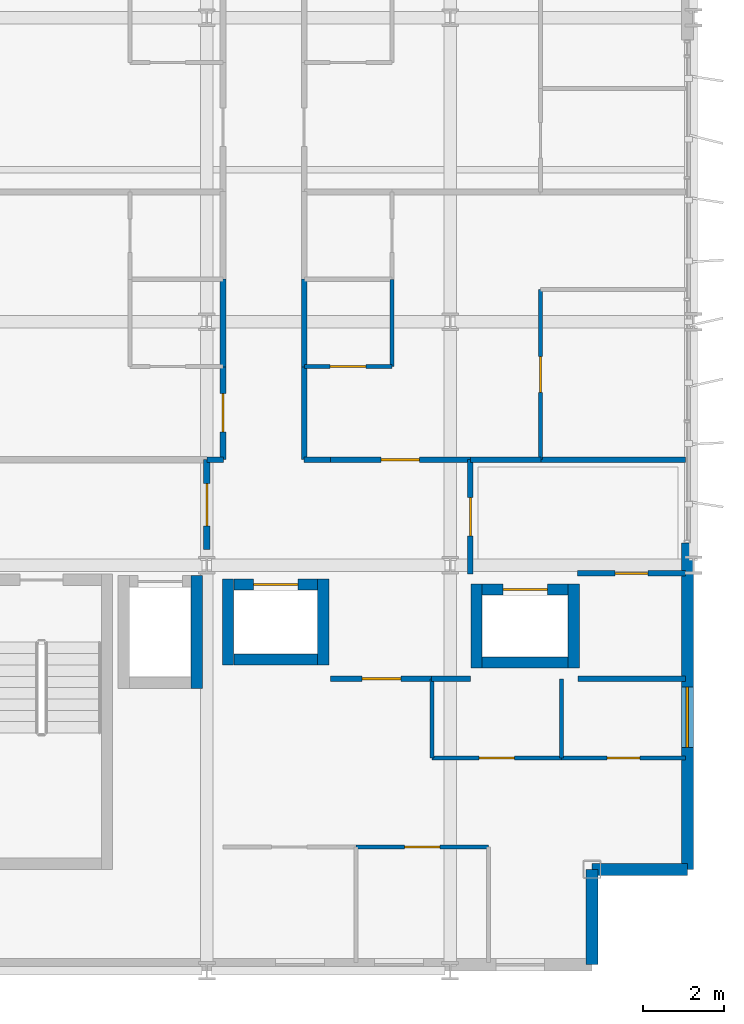
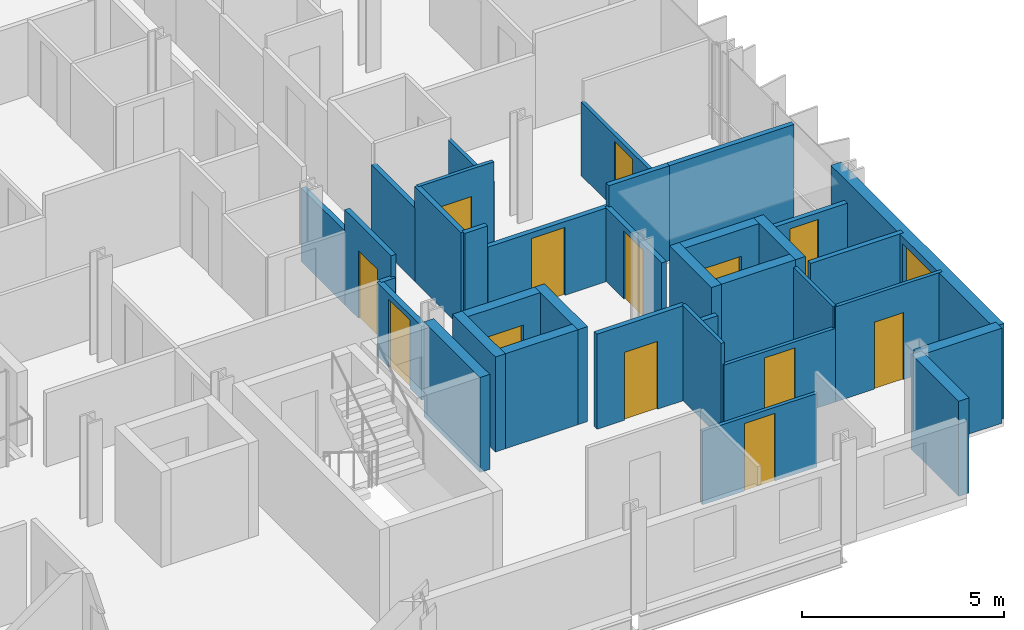
# One storey, part 31 of 39: 35 walls, 13 doors, 1 window, 14 openings.
"""IFC4 building model written with IfcOpenShell, lengths in metres."""

from ifc_helpers import new_model, si_unit, direction, frame, frame_2d, origin, place, context, subcontext, project, spatial, rectangle, extrude, material, layer, layer_set, type_object, element, fill, save


model = new_model("IFC4")

# Units and contexts
model_context = context("Model", 3, precision=1e-05, world=origin(), true_north=direction((0.0, 1.0)))
body_context = subcontext(model_context, "Body", "Model", "MODEL_VIEW")
ifc_project = project(units=[si_unit("LENGTHUNIT", "METRE"), si_unit("AREAUNIT", "SQUARE_METRE"), si_unit("VOLUMEUNIT", "CUBIC_METRE"), si_unit("PLANEANGLEUNIT", "RADIAN"), si_unit("MASSUNIT", "GRAM", prefix="KILO")], contexts=[model_context])

# Site, building, storey
site_placement = place(None, origin())
site = spatial("IfcSite", under=ifc_project, at=site_placement, CompositionType="ELEMENT")
building_placement = place(site_placement, origin())
building = spatial("IfcBuilding", under=site, at=building_placement, Name="Brevholm Reach", CompositionType="ELEMENT")
storey_placement = place(building_placement, frame((0.0, 0.0, 83.800048828125)))
storey = spatial("IfcBuildingStorey", under=building, at=storey_placement, Name="L24", CompositionType="ELEMENT", Elevation=83.800048828125)

# Walls
ifc_material_1 = material(Name="Concrete C50/60", Category="concrete")
ifc_layer_1 = layer(ifc_material_1, 0.280029296875)
ifc_layer_set_1 = layer_set([ifc_layer_1], Name="Concrete C50/60")
wall_type_1 = type_object("IfcWallType", Name="WAL-COR-280", PredefinedType="SHEAR", material=ifc_layer_set_1)
wall_1_placement = place(storey_placement, frame((47.75, 6.9599609375, 0.0), z_axis=(0.0, 0.0, 1.0), x_axis=(0.0, 1.0, 0.0)))
element("IfcWall", 1, at=wall_1_placement, inside=storey, type_object=wall_type_1, Name="L24 Lift FFL-2 Shaft Wall E", PredefinedType="SHEAR", context=body_context, shape_type="SweptSolid", body=[
    extrude(rectangle(XDim=2.780029296875, YDim=0.280029296875, at=frame_2d((1.39013671875, 0.0))), origin(), (0.0, 0.0, 1.0), 2.869873046875),
])
for number, where, z_axis, x_axis, name in (
    (2, (48.52490234375, 7.534912109375, 0.0), (0.0, 0.0, 1.0), (0.0, 1.0, 0.0), "L24 Lift PL-L1 Shaft Wall W"),
    (3, (50.875, 7.534912109375, 0.0), (0.0, 0.0, 1.0), (0.0, 1.0, 0.0), "L24 Lift PL-L1 Shaft Wall E"),
):
    element("IfcWall", number, at=place(storey_placement, frame(where, z_axis=z_axis, x_axis=x_axis)), inside=storey, type_object=wall_type_1, Name=name, PredefinedType="SHEAR", context=body_context, shape_type="SweptSolid", body=[
        extrude(rectangle(XDim=2.130126953125, YDim=0.280029296875, at=frame_2d((1.06494140625, 0.0))), origin(), (0.0, 0.0, 1.0), 2.869873046875),
    ])
wall_2_placement = place(storey_placement, frame((48.6650390625, 7.675048828125, 0.0), z_axis=(0.0, 0.0, 1.0), x_axis=(1.0, 0.0, 0.0)))
element("IfcWall", 4, at=wall_2_placement, inside=storey, type_object=wall_type_1, Name="L24 Lift PL-L1 Shaft Wall S", PredefinedType="SHEAR", context=body_context, shape_type="SweptSolid", body=[
    extrude(rectangle(XDim=2.070068359375, YDim=0.280029296875, at=frame_2d((1.03515625, 0.0))), origin(), (0.0, 0.0, 1.0), 2.869873046875),
])

# Wall, opening, door
wall_3_placement = place(storey_placement, frame((48.6650390625, 9.52490234375, 0.0), z_axis=(0.0, 0.0, 1.0), x_axis=(1.0, 0.0, 0.0)))
wall_3 = element("IfcWall", 5, at=wall_3_placement, inside=storey, type_object=wall_type_1, Name="L24 Lift PL-L1 Shaft Wall N", PredefinedType="SHEAR", context=body_context, shape_type="SweptSolid", body=[
    extrude(rectangle(XDim=2.070068359375, YDim=0.280029296875, at=frame_2d((1.03515625, 0.0))), origin(), (0.0, 0.0, 1.0), 2.869873046875),
])
opening_1_placement = place(wall_3_placement, frame((0.485107421875, 0.0, 0.0)))
opening_1 = element("IfcOpeningElement", 6, at=opening_1_placement, cuts=wall_3, Name="Opening LD-PL-L1", PredefinedType="OPENING", context=body_context, shape_type="SweptSolid", body=[
    extrude(rectangle(XDim=1.10009765625, YDim=2.06005859375, at=frame_2d((0.550048828125, 1.030029296875))), frame((0.0, 0.14990234375, 0.0), z_axis=(0.0, -1.0, 0.0), x_axis=(1.0, 0.0, 0.0)), (0.0, 0.0, 1.0), 0.300048828125),
])
ifc_material_2 = material(Name="Brushed Stainless Steel Fire-Rated Sliding Lift Door", Category="steel")
door_type_1 = type_object("IfcDoorType", Name="DOR-LFT-1100", OperationType="NOTDEFINED", PredefinedType="DOOR", material=ifc_material_2)
door_1_placement = place(opening_1_placement, origin())
door_1 = element("IfcDoor", 7, at=door_1_placement, inside=storey, type_object=door_type_1, Name="L24 Lift PL-L1 Sliding Landing Door", OperationType="SLIDING_TO_RIGHT", OverallHeight=2.06005859375, OverallWidth=1.10009765625, PredefinedType="DOOR", context=body_context, shape_type="SweptSolid", body=[
    extrude(rectangle(XDim=1.10009765625, YDim=2.06005859375, at=frame_2d((0.550048828125, 1.030029296875))), frame((0.0, 0.02490234375, 0.0), z_axis=(0.0, -1.0, 0.0), x_axis=(1.0, 0.0, 0.0)), (0.0, 0.0, 1.0), 0.050048828125),
])
fill(opening_1, door_1)

# Walls
for number, where, z_axis, x_axis, name in (
    (8, (54.64990234375, 7.4599609375, 0.0), (0.0, 0.0, 1.0), (0.0, 1.0, 0.0), "L24 Lift PL-L2 Shaft Wall W"),
    (9, (57.050048828125, 7.4599609375, 0.0), (0.0, 0.0, 1.0), (0.0, 1.0, 0.0), "L24 Lift PL-L2 Shaft Wall E"),
):
    element("IfcWall", number, at=place(storey_placement, frame(where, z_axis=z_axis, x_axis=x_axis)), inside=storey, type_object=wall_type_1, Name=name, PredefinedType="SHEAR", context=body_context, shape_type="SweptSolid", body=[
        extrude(rectangle(XDim=2.080078125, YDim=0.280029296875, at=frame_2d((1.0400390625, 0.0))), origin(), (0.0, 0.0, 1.0), 2.869873046875),
    ])
wall_4_placement = place(storey_placement, frame((54.7900390625, 7.60009765625, 0.0), z_axis=(0.0, 0.0, 1.0), x_axis=(1.0, 0.0, 0.0)))
element("IfcWall", 10, at=wall_4_placement, inside=storey, type_object=wall_type_1, Name="L24 Lift PL-L2 Shaft Wall S", PredefinedType="SHEAR", context=body_context, shape_type="SweptSolid", body=[
    extrude(rectangle(XDim=2.119873046875, YDim=0.280029296875, at=frame_2d((1.06005859375, 0.0))), origin(), (0.0, 0.0, 1.0), 2.869873046875),
])

# Wall, opening, door
wall_5_placement = place(storey_placement, frame((54.7900390625, 9.39990234375, 0.0), z_axis=(0.0, 0.0, 1.0), x_axis=(1.0, 0.0, 0.0)))
wall_5 = element("IfcWall", 11, at=wall_5_placement, inside=storey, type_object=wall_type_1, Name="L24 Lift PL-L2 Shaft Wall N", PredefinedType="SHEAR", context=body_context, shape_type="SweptSolid", body=[
    extrude(rectangle(XDim=2.119873046875, YDim=0.280029296875, at=frame_2d((1.06005859375, 0.0))), origin(), (0.0, 0.0, 1.0), 2.869873046875),
])
opening_2_placement = place(wall_5_placement, frame((0.510009765625, 0.0, 0.0)))
opening_2 = element("IfcOpeningElement", 12, at=opening_2_placement, cuts=wall_5, Name="Opening LD-PL-L2", PredefinedType="OPENING", context=body_context, shape_type="SweptSolid", body=[
    extrude(rectangle(XDim=1.10009765625, YDim=2.06005859375, at=frame_2d((0.550048828125, 1.030029296875))), frame((0.0, 0.14990234375, 0.0), z_axis=(0.0, -1.0, 0.0), x_axis=(1.0, 0.0, 0.0)), (0.0, 0.0, 1.0), 0.300048828125),
])
door_2_placement = place(opening_2_placement, origin())
door_2 = element("IfcDoor", 13, at=door_2_placement, inside=storey, type_object=door_type_1, Name="L24 Lift PL-L2 Sliding Landing Door", OperationType="SLIDING_TO_LEFT", OverallHeight=2.06005859375, OverallWidth=1.10009765625, PredefinedType="DOOR", context=body_context, shape_type="SweptSolid", body=[
    extrude(rectangle(XDim=1.10009765625, YDim=2.06005859375, at=frame_2d((0.550048828125, 1.030029296875))), frame((0.0, 0.02490234375, 0.0), z_axis=(0.0, -1.0, 0.0), x_axis=(1.0, 0.0, 0.0)), (0.0, 0.0, 1.0), 0.050048828125),
])
fill(opening_2, door_2)

# Walls
ifc_material_3 = material(Name="Concrete C40/50", Category="concrete")
ifc_layer_2 = layer(ifc_material_3, 0.300048828125)
ifc_layer_set_2 = layer_set([ifc_layer_2], Name="Concrete C40/50")
wall_type_2 = type_object("IfcWallType", Name="WAL-EXT-300", PredefinedType="STANDARD", material=ifc_layer_set_2)
for number, where, z_axis, x_axis, name in (
    (14, (57.5, 0.14990234375, 0.0), (0.0, 0.0, 1.0), (0.0, 1.0, 0.0), "L24 Facade Wall WAL-L24-CSE1"),
    (15, (57.5, 2.5, 0.0), (0.0, 0.0, 1.0), (1.0, 0.0, 0.0), "L24 Facade Wall WAL-L24-CSE2"),
):
    element("IfcWall", number, at=place(storey_placement, frame(where, z_axis=z_axis, x_axis=x_axis)), inside=storey, type_object=wall_type_2, Name=name, PredefinedType="STANDARD", context=body_context, shape_type="SweptSolid", body=[
        extrude(rectangle(XDim=2.35009765625, YDim=0.300048828125, at=frame_2d((1.175048828125, 0.0))), origin(), (0.0, 0.0, 1.0), 2.869873046875),
    ])

# Wall, opening, window
wall_6_placement = place(storey_placement, frame((59.85009765625, 2.5, 0.0), z_axis=(0.0, 0.0, 1.0), x_axis=(0.0, 1.0, 0.0)))
wall_6 = element("IfcWall", 16, at=wall_6_placement, inside=storey, type_object=wall_type_2, Name="L24 Facade Wall WAL-L24-E-S", PredefinedType="STANDARD", context=body_context, shape_type="SweptSolid", body=[
    extrude(rectangle(XDim=8.050048828125, YDim=0.300048828125, at=frame_2d((4.02490234375, 0.0))), origin(), (0.0, 0.0, 1.0), 2.869873046875),
])
opening_3_placement = place(wall_6_placement, frame((3.0, 0.0, 0.85009765625)))
opening_3 = element("IfcOpeningElement", 17, at=opening_3_placement, cuts=wall_6, Name="Opening WN-05", PredefinedType="OPENING", context=body_context, shape_type="SweptSolid", body=[
    extrude(rectangle(XDim=1.5, YDim=1.800048828125, at=frame_2d((0.75, 0.89990234375))), frame((0.0, 0.159912109375, 0.0), z_axis=(0.0, -1.0, 0.0), x_axis=(1.0, 0.0, 0.0)), (0.0, 0.0, 1.0), 0.320068359375),
])
ifc_material_4 = material(Name="Dark Anodised Aluminium and Solar-Control IGU Glass", Category="aluminium")
window_type = type_object("IfcWindowType", Name="WIN-RES-1500", PartitioningType="SINGLE_PANEL", PredefinedType="WINDOW", material=ifc_material_4)
window_placement = place(opening_3_placement, origin())
window = element("IfcWindow", 18, at=window_placement, inside=storey, type_object=window_type, Name="L24 Window WIN-L24-ES-1", OverallHeight=1.800048828125, OverallWidth=1.5, PartitioningType="SINGLE_PANEL", PredefinedType="WINDOW", context=body_context, shape_type="SweptSolid", body=[
    extrude(rectangle(XDim=1.5, YDim=1.800048828125, at=frame_2d((0.75, 0.89990234375))), frame((0.0, 0.030029296875, 0.0), z_axis=(0.0, -1.0, 0.0), x_axis=(1.0, 0.0, 0.0)), (0.0, 0.0, 1.0), 0.06005859375),
])
fill(opening_3, window)

# Wall
ifc_material_5 = material(Name="Moisture-Resistant Acoustic Gypsum Stud Partition 100 mm", Category="gypsum")
ifc_layer_3 = layer(ifc_material_5, 0.10009765625)
ifc_layer_set_3 = layer_set([ifc_layer_3], Name="Moisture-Resistant Acoustic Gypsum Stud Partition 100 mm")
wall_type_3 = type_object("IfcWallType", Name="WAL-PRT-100", PredefinedType="PARTITIONING", material=ifc_layer_set_3)
wall_7_placement = place(storey_placement, frame((56.75, 5.25, 0.0), z_axis=(0.0, 0.0, 1.0), x_axis=(0.0, 1.0, 0.0)))
element("IfcWall", 19, at=wall_7_placement, inside=storey, type_object=wall_type_3, Name="L24 Internal Partition 078", PredefinedType="PARTITIONING", context=body_context, shape_type="SweptSolid", body=[
    extrude(rectangle(XDim=1.949951171875, YDim=0.10009765625, at=frame_2d((0.97509765625, 0.0))), origin(), (0.0, 0.0, 1.0), 2.869873046875),
])

# Wall, opening, door
wall_8_placement = place(storey_placement, frame((56.75, 5.25, 0.0), z_axis=(0.0, 0.0, 1.0), x_axis=(1.0, 0.0, 0.0)))
wall_8 = element("IfcWall", 20, at=wall_8_placement, inside=storey, type_object=wall_type_3, Name="L24 Internal Partition 079", PredefinedType="PARTITIONING", context=body_context, shape_type="SweptSolid", body=[
    extrude(rectangle(XDim=3.050048828125, YDim=0.10009765625, at=frame_2d((1.52490234375, 0.0))), origin(), (0.0, 0.0, 1.0), 2.869873046875),
])
opening_4_placement = place(wall_8_placement, frame((1.114990234375, 0.0, 0.0)))
opening_4 = element("IfcOpeningElement", 21, at=opening_4_placement, cuts=wall_8, Name="Opening ID-03", PredefinedType="OPENING", context=body_context, shape_type="SweptSolid", body=[
    extrude(rectangle(XDim=0.820068359375, YDim=2.02001953125, at=frame_2d((0.41015625, 1.010009765625))), frame((0.0, 0.06005859375, 0.0), z_axis=(0.0, -1.0, 0.0), x_axis=(1.0, 0.0, 0.0)), (0.0, 0.0, 1.0), 0.1201171875),
])
ifc_material_6 = material(Name="Moisture-Resistant Painted Timber Internal Bathroom Door", Category="wood")
door_type_2 = type_object("IfcDoorType", Name="DOR-BATH-820", OperationType="NOTDEFINED", PredefinedType="DOOR", material=ifc_material_6)
door_3_placement = place(opening_4_placement, origin())
door_3 = element("IfcDoor", 22, at=door_3_placement, inside=storey, type_object=door_type_2, Name="L24 Internal Door 030", OperationType="SINGLE_SWING_LEFT", OverallHeight=2.02001953125, OverallWidth=0.820068359375, PredefinedType="DOOR", context=body_context, shape_type="SweptSolid", body=[
    extrude(rectangle(XDim=0.820068359375, YDim=2.02001953125, at=frame_2d((0.41015625, 1.010009765625))), frame((0.0, 0.02490234375, 0.0), z_axis=(0.0, -1.0, 0.0), x_axis=(1.0, 0.0, 0.0)), (0.0, 0.0, 1.0), 0.050048828125),
])
fill(opening_4, door_3)

wall_9_placement = place(storey_placement, frame((53.55810546875, 5.25, 0.0), z_axis=(0.0, 0.0, 1.0), x_axis=(1.0, 0.0, 0.0)))
wall_9 = element("IfcWall", 23, at=wall_9_placement, inside=storey, type_object=wall_type_3, Name="L24 Internal Partition 080", PredefinedType="PARTITIONING", context=body_context, shape_type="SweptSolid", body=[
    extrude(rectangle(XDim=3.18798828125, YDim=0.10009765625, at=frame_2d((1.593994140625, 0.0))), origin(), (0.0, 0.0, 1.0), 2.224853515625),
])
opening_5_placement = place(wall_9_placement, frame((1.154052734375, 0.0, 0.0)))
opening_5 = element("IfcOpeningElement", 24, at=opening_5_placement, cuts=wall_9, Name="Opening ID-01", PredefinedType="OPENING", context=body_context, shape_type="SweptSolid", body=[
    extrude(rectangle(XDim=0.8798828125, YDim=2.0400390625, at=frame_2d((0.43994140625, 1.02001953125))), frame((0.0, 0.06005859375, 0.0), z_axis=(0.0, -1.0, 0.0), x_axis=(1.0, 0.0, 0.0)), (0.0, 0.0, 1.0), 0.1201171875),
])
ifc_material_7 = material(Name="Lacquered Ash Solid-Core Acoustic Internal Door", Category="timber")
door_type_3 = type_object("IfcDoorType", Name="DOR-INT-880", OperationType="NOTDEFINED", PredefinedType="DOOR", material=ifc_material_7)
door_4_placement = place(opening_5_placement, origin())
door_4 = element("IfcDoor", 25, at=door_4_placement, inside=storey, type_object=door_type_3, Name="L24 Internal Door 031", OperationType="SINGLE_SWING_RIGHT", OverallHeight=2.0400390625, OverallWidth=0.8798828125, PredefinedType="DOOR", context=body_context, shape_type="SweptSolid", body=[
    extrude(rectangle(XDim=0.8798828125, YDim=2.0400390625, at=frame_2d((0.43994140625, 1.02001953125))), frame((0.0, 0.02490234375, 0.0), z_axis=(0.0, -1.0, 0.0), x_axis=(1.0, 0.0, 0.0)), (0.0, 0.0, 1.0), 0.050048828125),
])
fill(opening_5, door_4)

# Wall
wall_10_placement = place(storey_placement, frame((53.55810546875, 5.25, 0.0), z_axis=(0.0, 0.0, 1.0), x_axis=(0.0, 1.0, 0.0)))
element("IfcWall", 26, at=wall_10_placement, inside=storey, type_object=wall_type_3, Name="L24 Internal Partition 081", PredefinedType="PARTITIONING", context=body_context, shape_type="SweptSolid", body=[
    extrude(rectangle(XDim=1.946044921875, YDim=0.10009765625, at=frame_2d((0.97314453125, 0.0))), origin(), (0.0, 0.0, 1.0), 2.869873046875),
])

# Wall, opening, door
wall_11_placement = place(storey_placement, frame((51.678955078125, 3.050048828125, 0.0), z_axis=(0.0, 0.0, 1.0), x_axis=(1.0, 0.0, 0.0)))
wall_11 = element("IfcWall", 27, at=wall_11_placement, inside=storey, type_object=wall_type_3, Name="L24 Internal Partition 085", PredefinedType="PARTITIONING", context=body_context, shape_type="SweptSolid", body=[
    extrude(rectangle(XDim=3.27099609375, YDim=0.10009765625, at=frame_2d((1.635498046875, 0.0))), origin(), (0.0, 0.0, 1.0), 2.224853515625),
])
opening_6_placement = place(wall_11_placement, frame((1.195556640625, 0.0, 0.0)))
opening_6 = element("IfcOpeningElement", 28, at=opening_6_placement, cuts=wall_11, Name="Opening ID-01", PredefinedType="OPENING", context=body_context, shape_type="SweptSolid", body=[
    extrude(rectangle(XDim=0.8798828125, YDim=2.0400390625, at=frame_2d((0.43994140625, 1.02001953125))), frame((0.0, 0.06005859375, 0.0), z_axis=(0.0, -1.0, 0.0), x_axis=(1.0, 0.0, 0.0)), (0.0, 0.0, 1.0), 0.1201171875),
])
door_5_placement = place(opening_6_placement, origin())
door_5 = element("IfcDoor", 29, at=door_5_placement, inside=storey, type_object=door_type_3, Name="L24 Internal Door 033", OperationType="SINGLE_SWING_RIGHT", OverallHeight=2.0400390625, OverallWidth=0.8798828125, PredefinedType="DOOR", context=body_context, shape_type="SweptSolid", body=[
    extrude(rectangle(XDim=0.8798828125, YDim=2.0400390625, at=frame_2d((0.43994140625, 1.02001953125))), frame((0.0, 0.02490234375, 0.0), z_axis=(0.0, -1.0, 0.0), x_axis=(1.0, 0.0, 0.0)), (0.0, 0.0, 1.0), 0.050048828125),
])
fill(opening_6, door_5)

wall_12_placement = place(storey_placement, frame((50.404052734375, 14.89990234375, 0.0), z_axis=(0.0, 0.0, 1.0), x_axis=(1.0, 0.0, 0.0)))
wall_12 = element("IfcWall", 30, at=wall_12_placement, inside=storey, type_object=wall_type_3, Name="L24 Internal Partition 145", PredefinedType="PARTITIONING", context=body_context, shape_type="SweptSolid", body=[
    extrude(rectangle(XDim=2.157958984375, YDim=0.10009765625, at=frame_2d((1.0791015625, 0.0))), origin(), (0.0, 0.0, 1.0), 2.869873046875),
])
opening_7_placement = place(wall_12_placement, frame((0.638916015625, 0.0, 0.0)))
opening_7 = element("IfcOpeningElement", 31, at=opening_7_placement, cuts=wall_12, Name="Opening ID-01", PredefinedType="OPENING", context=body_context, shape_type="SweptSolid", body=[
    extrude(rectangle(XDim=0.8798828125, YDim=2.0400390625, at=frame_2d((0.43994140625, 1.02001953125))), frame((0.0, 0.06005859375, 0.0), z_axis=(0.0, -1.0, 0.0), x_axis=(1.0, 0.0, 0.0)), (0.0, 0.0, 1.0), 0.1201171875),
])
door_6_placement = place(opening_7_placement, origin())
door_6 = element("IfcDoor", 32, at=door_6_placement, inside=storey, type_object=door_type_3, Name="L24 Internal Door 056", OperationType="SINGLE_SWING_LEFT", OverallHeight=2.0400390625, OverallWidth=0.8798828125, PredefinedType="DOOR", context=body_context, shape_type="SweptSolid", body=[
    extrude(rectangle(XDim=0.8798828125, YDim=2.0400390625, at=frame_2d((0.43994140625, 1.02001953125))), frame((0.0, 0.02490234375, 0.0), z_axis=(0.0, -1.0, 0.0), x_axis=(1.0, 0.0, 0.0)), (0.0, 0.0, 1.0), 0.050048828125),
])
fill(opening_7, door_6)

# Wall
wall_13_placement = place(storey_placement, frame((52.56201171875, 14.89990234375, 0.0), z_axis=(0.0, 0.0, 1.0), x_axis=(0.0, 1.0, 0.0)))
element("IfcWall", 33, at=wall_13_placement, inside=storey, type_object=wall_type_3, Name="L24 Internal Partition 146", PredefinedType="PARTITIONING", context=body_context, shape_type="SweptSolid", body=[
    extrude(rectangle(XDim=2.14599609375, YDim=0.10009765625, at=frame_2d((1.072998046875, 0.0))), origin(), (0.0, 0.0, 1.0), 2.224853515625),
])

# Wall, opening, door
wall_14_placement = place(storey_placement, frame((56.22802734375, 12.60400390625, 0.0), z_axis=(0.0, 0.0, 1.0), x_axis=(0.0, 1.0, 0.0)))
wall_14 = element("IfcWall", 34, at=wall_14_placement, inside=storey, type_object=wall_type_3, Name="L24 Internal Partition 148", PredefinedType="PARTITIONING", context=body_context, shape_type="SweptSolid", body=[
    extrude(rectangle(XDim=4.196044921875, YDim=0.10009765625, at=frame_2d((2.09814453125, 0.0))), origin(), (0.0, 0.0, 1.0), 2.224853515625),
])
opening_8_placement = place(wall_14_placement, frame((1.657958984375, 0.0, 0.0)))
opening_8 = element("IfcOpeningElement", 35, at=opening_8_placement, cuts=wall_14, Name="Opening ID-01", PredefinedType="OPENING", context=body_context, shape_type="SweptSolid", body=[
    extrude(rectangle(XDim=0.8798828125, YDim=2.0400390625, at=frame_2d((0.43994140625, 1.02001953125))), frame((0.0, 0.06005859375, 0.0), z_axis=(0.0, -1.0, 0.0), x_axis=(1.0, 0.0, 0.0)), (0.0, 0.0, 1.0), 0.1201171875),
])
door_7_placement = place(opening_8_placement, origin())
door_7 = element("IfcDoor", 36, at=door_7_placement, inside=storey, type_object=door_type_3, Name="L24 Internal Door 057", OperationType="SINGLE_SWING_RIGHT", OverallHeight=2.0400390625, OverallWidth=0.8798828125, PredefinedType="DOOR", context=body_context, shape_type="SweptSolid", body=[
    extrude(rectangle(XDim=0.8798828125, YDim=2.0400390625, at=frame_2d((0.43994140625, 1.02001953125))), frame((0.0, 0.02490234375, 0.0), z_axis=(0.0, -1.0, 0.0), x_axis=(1.0, 0.0, 0.0)), (0.0, 0.0, 1.0), 0.050048828125),
])
fill(opening_8, door_7)

ifc_material_8 = material(Name="Twin-Stud Acoustic Fire-Rated Gypsum Partition 140 mm", Category="gypsum")
ifc_layer_4 = layer(ifc_material_8, 0.139892578125)
ifc_layer_set_4 = layer_set([ifc_layer_4], Name="Twin-Stud Acoustic Fire-Rated Gypsum Partition 140 mm")
wall_type_4 = type_object("IfcWallType", Name="WAL-PRT-140", PredefinedType="PARTITIONING", material=ifc_layer_set_4)
wall_15_placement = place(storey_placement, frame((54.5, 9.788818359375, 0.0), z_axis=(0.0, 0.0, 1.0), x_axis=(0.0, 1.0, 0.0)))
wall_15 = element("IfcWall", 37, at=wall_15_placement, inside=storey, type_object=wall_type_4, Name="L24 Internal Partition 008", PredefinedType="PARTITIONING", context=body_context, shape_type="SweptSolid", body=[
    extrude(rectangle(XDim=2.811279296875, YDim=0.139892578125, at=frame_2d((1.40576171875, 0.0))), origin(), (0.0, 0.0, 1.0), 2.224853515625),
])
opening_9_placement = place(wall_15_placement, frame((0.9306640625, 0.0, 0.0)))
opening_9 = element("IfcOpeningElement", 38, at=opening_9_placement, cuts=wall_15, Name="Opening ID-30", PredefinedType="OPENING", context=body_context, shape_type="SweptSolid", body=[
    extrude(rectangle(XDim=0.949951171875, YDim=2.050048828125, at=frame_2d((0.47509765625, 1.02490234375))), frame((0.0, 0.079833984375, 0.0), z_axis=(0.0, -1.0, 0.0), x_axis=(1.0, 0.0, 0.0)), (0.0, 0.0, 1.0), 0.159912109375),
])
ifc_material_9 = material(Name="European Oak Veneered Solid-Core Fire Entrance Door", Category="timber")
door_type_4 = type_object("IfcDoorType", Name="DOR-FLT-FD30S", OperationType="NOTDEFINED", PredefinedType="DOOR", material=ifc_material_9)
door_8_placement = place(opening_9_placement, origin())
door_8 = element("IfcDoor", 39, at=door_8_placement, inside=storey, type_object=door_type_4, Name="L24 Internal Door 006", OperationType="SINGLE_SWING_LEFT", OverallHeight=2.050048828125, OverallWidth=0.949951171875, PredefinedType="DOOR", context=body_context, shape_type="SweptSolid", body=[
    extrude(rectangle(XDim=0.949951171875, YDim=2.050048828125, at=frame_2d((0.47509765625, 1.02490234375))), frame((0.0, 0.02490234375, 0.0), z_axis=(0.0, -1.0, 0.0), x_axis=(1.0, 0.0, 0.0)), (0.0, 0.0, 1.0), 0.050048828125),
])
fill(opening_9, door_8)

# Wall
wall_16_placement = place(storey_placement, frame((53.546630859375, 7.199951171875, 0.0), z_axis=(0.0, 0.0, 1.0), x_axis=(1.0, 0.0, 0.0)))
element("IfcWall", 40, at=wall_16_placement, inside=storey, type_object=wall_type_4, Name="L24 Internal Partition 009", PredefinedType="PARTITIONING", context=body_context, shape_type="SweptSolid", body=[
    extrude(rectangle(XDim=0.953369140625, YDim=0.139892578125, at=frame_2d((0.4765625, 0.0))), origin(), (0.0, 0.0, 1.0), 2.224853515625),
])

# Wall, opening, door
wall_17_placement = place(storey_placement, frame((51.050048828125, 7.199951171875, 0.0), z_axis=(0.0, 0.0, 1.0), x_axis=(1.0, 0.0, 0.0)))
wall_17 = element("IfcWall", 41, at=wall_17_placement, inside=storey, type_object=wall_type_4, Name="L24 Internal Partition 010", PredefinedType="PARTITIONING", context=body_context, shape_type="SweptSolid", body=[
    extrude(rectangle(XDim=2.51513671875, YDim=0.139892578125, at=frame_2d((1.257568359375, 0.0))), origin(), (0.0, 0.0, 1.0), 2.869873046875),
])
opening_10_placement = place(wall_17_placement, frame((0.78271484375, 0.0, 0.0)))
opening_10 = element("IfcOpeningElement", 42, at=opening_10_placement, cuts=wall_17, Name="Opening ID-30", PredefinedType="OPENING", context=body_context, shape_type="SweptSolid", body=[
    extrude(rectangle(XDim=0.949951171875, YDim=2.050048828125, at=frame_2d((0.47509765625, 1.02490234375))), frame((0.0, 0.079833984375, 0.0), z_axis=(0.0, -1.0, 0.0), x_axis=(1.0, 0.0, 0.0)), (0.0, 0.0, 1.0), 0.159912109375),
])
door_9_placement = place(opening_10_placement, origin())
door_9 = element("IfcDoor", 43, at=door_9_placement, inside=storey, type_object=door_type_4, Name="L24 Internal Door 007", OperationType="SINGLE_SWING_RIGHT", OverallHeight=2.050048828125, OverallWidth=0.949951171875, PredefinedType="DOOR", context=body_context, shape_type="SweptSolid", body=[
    extrude(rectangle(XDim=0.949951171875, YDim=2.050048828125, at=frame_2d((0.47509765625, 1.02490234375))), frame((0.0, 0.02490234375, 0.0), z_axis=(0.0, -1.0, 0.0), x_axis=(1.0, 0.0, 0.0)), (0.0, 0.0, 1.0), 0.050048828125),
])
fill(opening_10, door_9)

wall_18_placement = place(storey_placement, frame((51.050048828125, 12.60009765625, 0.0), z_axis=(0.0, 0.0, 1.0), x_axis=(1.0, 0.0, 0.0)))
wall_18 = element("IfcWall", 44, at=wall_18_placement, inside=storey, type_object=wall_type_4, Name="L24 Internal Partition 011", PredefinedType="PARTITIONING", context=body_context, shape_type="SweptSolid", body=[
    extrude(rectangle(XDim=3.449951171875, YDim=0.139892578125, at=frame_2d((1.72509765625, 0.0))), origin(), (0.0, 0.0, 1.0), 2.224853515625),
])
opening_11_placement = place(wall_18_placement, frame((1.25, 0.0, 0.0)))
opening_11 = element("IfcOpeningElement", 45, at=opening_11_placement, cuts=wall_18, Name="Opening ID-30", PredefinedType="OPENING", context=body_context, shape_type="SweptSolid", body=[
    extrude(rectangle(XDim=0.949951171875, YDim=2.050048828125, at=frame_2d((0.47509765625, 1.02490234375))), frame((0.0, 0.079833984375, 0.0), z_axis=(0.0, -1.0, 0.0), x_axis=(1.0, 0.0, 0.0)), (0.0, 0.0, 1.0), 0.159912109375),
])
door_10_placement = place(opening_11_placement, origin())
door_10 = element("IfcDoor", 46, at=door_10_placement, inside=storey, type_object=door_type_4, Name="L24 Internal Door 008", OperationType="SINGLE_SWING_LEFT", OverallHeight=2.050048828125, OverallWidth=0.949951171875, PredefinedType="DOOR", context=body_context, shape_type="SweptSolid", body=[
    extrude(rectangle(XDim=0.949951171875, YDim=2.050048828125, at=frame_2d((0.47509765625, 1.02490234375))), frame((0.0, 0.02490234375, 0.0), z_axis=(0.0, -1.0, 0.0), x_axis=(1.0, 0.0, 0.0)), (0.0, 0.0, 1.0), 0.050048828125),
])
fill(opening_11, door_10)

# Walls
wall_19_placement = place(storey_placement, frame((48.00390625, 12.60009765625, 0.0), z_axis=(0.0, 0.0, 1.0), x_axis=(1.0, 0.0, 0.0)))
element("IfcWall", 47, at=wall_19_placement, inside=storey, type_object=wall_type_4, Name="L24 Internal Partition 026", PredefinedType="PARTITIONING", context=body_context, shape_type="SweptSolid", body=[
    extrude(rectangle(XDim=0.4033203125, YDim=0.139892578125, at=frame_2d((0.20166015625, 0.0))), origin(), (0.0, 0.0, 1.0), 2.224853515625),
])
wall_20_placement = place(storey_placement, frame((50.392578125, 12.60009765625, 0.0), z_axis=(0.0, 0.0, 1.0), x_axis=(1.0, 0.0, 0.0)))
element("IfcWall", 48, at=wall_20_placement, inside=storey, type_object=wall_type_4, Name="L24 Internal Partition 027", PredefinedType="PARTITIONING", context=body_context, shape_type="SweptSolid", body=[
    extrude(rectangle(XDim=0.6533203125, YDim=0.139892578125, at=frame_2d((0.32666015625, 0.0))), origin(), (0.0, 0.0, 1.0), 2.869873046875),
])
wall_21_placement = place(storey_placement, frame((48.39990234375, 14.888671875, 0.0), z_axis=(0.0, 0.0, 1.0), x_axis=(0.0, 1.0, 0.0)))
element("IfcWall", 49, at=wall_21_placement, inside=storey, type_object=wall_type_4, Name="L24 Internal Partition 042", PredefinedType="PARTITIONING", context=body_context, shape_type="SweptSolid", body=[
    extrude(rectangle(XDim=2.168701171875, YDim=0.139892578125, at=frame_2d((1.08447265625, 0.0))), origin(), (0.0, 0.0, 1.0), 2.224853515625),
])

# Wall, opening, door
wall_22_placement = place(storey_placement, frame((48.39990234375, 12.60400390625, 0.0), z_axis=(0.0, 0.0, 1.0), x_axis=(0.0, 1.0, 0.0)))
wall_22 = element("IfcWall", 50, at=wall_22_placement, inside=storey, type_object=wall_type_4, Name="L24 Internal Partition 043", PredefinedType="PARTITIONING", context=body_context, shape_type="SweptSolid", body=[
    extrude(rectangle(XDim=2.30322265625, YDim=0.139892578125, at=frame_2d((1.151611328125, 0.0))), origin(), (0.0, 0.0, 1.0), 2.869873046875),
])
opening_12_placement = place(wall_22_placement, frame((0.6767578125, 0.0, 0.0)))
opening_12 = element("IfcOpeningElement", 51, at=opening_12_placement, cuts=wall_22, Name="Opening ID-30", PredefinedType="OPENING", context=body_context, shape_type="SweptSolid", body=[
    extrude(rectangle(XDim=0.949951171875, YDim=2.050048828125, at=frame_2d((0.47509765625, 1.02490234375))), frame((0.0, 0.079833984375, 0.0), z_axis=(0.0, -1.0, 0.0), x_axis=(1.0, 0.0, 0.0)), (0.0, 0.0, 1.0), 0.159912109375),
])
door_11_placement = place(opening_12_placement, origin())
door_11 = element("IfcDoor", 52, at=door_11_placement, inside=storey, type_object=door_type_4, Name="L24 Internal Door 020", OperationType="SINGLE_SWING_LEFT", OverallHeight=2.050048828125, OverallWidth=0.949951171875, PredefinedType="DOOR", context=body_context, shape_type="SweptSolid", body=[
    extrude(rectangle(XDim=0.949951171875, YDim=2.050048828125, at=frame_2d((0.47509765625, 1.02490234375))), frame((0.0, 0.02490234375, 0.0), z_axis=(0.0, -1.0, 0.0), x_axis=(1.0, 0.0, 0.0)), (0.0, 0.0, 1.0), 0.050048828125),
])
fill(opening_12, door_11)

# Walls
wall_23_placement = place(storey_placement, frame((50.39990234375, 14.888671875, 0.0), z_axis=(0.0, 0.0, 1.0), x_axis=(0.0, 1.0, 0.0)))
element("IfcWall", 53, at=wall_23_placement, inside=storey, type_object=wall_type_4, Name="L24 Internal Partition 048", PredefinedType="PARTITIONING", context=body_context, shape_type="SweptSolid", body=[
    extrude(rectangle(XDim=2.168701171875, YDim=0.139892578125, at=frame_2d((1.08447265625, 0.0))), origin(), (0.0, 0.0, 1.0), 2.224853515625),
])
wall_24_placement = place(storey_placement, frame((50.39990234375, 12.60400390625, 0.0), z_axis=(0.0, 0.0, 1.0), x_axis=(0.0, 1.0, 0.0)))
element("IfcWall", 54, at=wall_24_placement, inside=storey, type_object=wall_type_4, Name="L24 Internal Partition 049", PredefinedType="PARTITIONING", context=body_context, shape_type="SweptSolid", body=[
    extrude(rectangle(XDim=2.30322265625, YDim=0.139892578125, at=frame_2d((1.151611328125, 0.0))), origin(), (0.0, 0.0, 1.0), 2.869873046875),
])

# Wall, opening, door
wall_25_placement = place(storey_placement, frame((57.138671875, 9.800048828125, 0.0), z_axis=(0.0, 0.0, 1.0), x_axis=(1.0, 0.0, 0.0)))
wall_25 = element("IfcWall", 55, at=wall_25_placement, inside=storey, type_object=wall_type_4, Name="L24 Internal Partition 074", PredefinedType="PARTITIONING", context=body_context, shape_type="SweptSolid", body=[
    extrude(rectangle(XDim=2.661376953125, YDim=0.139892578125, at=frame_2d((1.33056640625, 0.0))), origin(), (0.0, 0.0, 1.0), 2.224853515625),
])
opening_13_placement = place(wall_25_placement, frame((0.920654296875, 0.0, 0.0)))
opening_13 = element("IfcOpeningElement", 56, at=opening_13_placement, cuts=wall_25, Name="Opening ID-02", PredefinedType="OPENING", context=body_context, shape_type="SweptSolid", body=[
    extrude(rectangle(XDim=0.820068359375, YDim=2.02001953125, at=frame_2d((0.41015625, 1.010009765625))), frame((0.0, 0.079833984375, 0.0), z_axis=(0.0, -1.0, 0.0), x_axis=(1.0, 0.0, 0.0)), (0.0, 0.0, 1.0), 0.159912109375),
])
ifc_material_10 = material(Name="Moisture-Resistant Painted Timber Fire-Rated Riser and Service Door", Category="wood")
door_type_5 = type_object("IfcDoorType", Name="DOR-SRV-820", OperationType="NOTDEFINED", PredefinedType="DOOR", material=ifc_material_10)
door_12_placement = place(opening_13_placement, origin())
door_12 = element("IfcDoor", 57, at=door_12_placement, inside=storey, type_object=door_type_5, Name="L24 Access Door 066", OperationType="SINGLE_SWING_LEFT", OverallHeight=2.02001953125, OverallWidth=0.820068359375, PredefinedType="DOOR", context=body_context, shape_type="SweptSolid", body=[
    extrude(rectangle(XDim=0.820068359375, YDim=2.02001953125, at=frame_2d((0.41015625, 1.010009765625))), frame((0.0, 0.02490234375, 0.0), z_axis=(0.0, -1.0, 0.0), x_axis=(1.0, 0.0, 0.0)), (0.0, 0.0, 1.0), 0.050048828125),
])
fill(opening_13, door_12)

# Walls
wall_26_placement = place(storey_placement, frame((56.216796875, 12.60009765625, 0.0), z_axis=(0.0, 0.0, 1.0), x_axis=(1.0, 0.0, 0.0)))
element("IfcWall", 58, at=wall_26_placement, inside=storey, type_object=wall_type_4, Name="L24 Internal Partition 075", PredefinedType="PARTITIONING", context=body_context, shape_type="SweptSolid", body=[
    extrude(rectangle(XDim=3.583251953125, YDim=0.139892578125, at=frame_2d((1.79150390625, 0.0))), origin(), (0.0, 0.0, 1.0), 2.869873046875),
])
wall_27_placement = place(storey_placement, frame((54.50390625, 12.60009765625, 0.0), z_axis=(0.0, 0.0, 1.0), x_axis=(1.0, 0.0, 0.0)))
element("IfcWall", 59, at=wall_27_placement, inside=storey, type_object=wall_type_4, Name="L24 Internal Partition 076", PredefinedType="PARTITIONING", context=body_context, shape_type="SweptSolid", body=[
    extrude(rectangle(XDim=1.7314453125, YDim=0.139892578125, at=frame_2d((0.86572265625, 0.0))), origin(), (0.0, 0.0, 1.0), 2.869873046875),
])
wall_28_placement = place(storey_placement, frame((57.14990234375, 7.199951171875, 0.0), z_axis=(0.0, 0.0, 1.0), x_axis=(1.0, 0.0, 0.0)))
element("IfcWall", 60, at=wall_28_placement, inside=storey, type_object=wall_type_4, Name="L24 Internal Partition 077", PredefinedType="PARTITIONING", context=body_context, shape_type="SweptSolid", body=[
    extrude(rectangle(XDim=2.650146484375, YDim=0.139892578125, at=frame_2d((1.3251953125, 0.0))), origin(), (0.0, 0.0, 1.0), 2.869873046875),
])

# Wall, opening, door
ifc_material_11 = material(Name="Twin-Frame Fire-Rated Gypsum Board and Mineral Wool 160 mm", Category="gypsum")
ifc_layer_5 = layer(ifc_material_11, 0.159912109375)
ifc_layer_set_5 = layer_set([ifc_layer_5], Name="Twin-Frame Fire-Rated Gypsum Board and Mineral Wool 160 mm")
wall_type_5 = type_object("IfcWallType", Name="WAL-PRT-160", PredefinedType="PARTITIONING", material=ifc_layer_set_5)
wall_29_placement = place(storey_placement, frame((48.0, 10.388671875, 0.0), z_axis=(0.0, 0.0, 1.0), x_axis=(0.0, 1.0, 0.0)))
wall_29 = element("IfcWall", 61, at=wall_29_placement, inside=storey, type_object=wall_type_5, Name="L24 Internal Partition 018", PredefinedType="PARTITIONING", context=body_context, shape_type="SweptSolid", body=[
    extrude(rectangle(XDim=2.21142578125, YDim=0.159912109375, at=frame_2d((1.105712890625, 0.0))), origin(), (0.0, 0.0, 1.0), 2.224853515625),
])
opening_14_placement = place(wall_29_placement, frame((0.58056640625, 0.0, 0.0)))
opening_14 = element("IfcOpeningElement", 62, at=opening_14_placement, cuts=wall_29, Name="Opening FD-01", PredefinedType="OPENING", context=body_context, shape_type="SweptSolid", body=[
    extrude(rectangle(XDim=1.050048828125, YDim=2.06005859375, at=frame_2d((0.52490234375, 1.030029296875))), frame((0.0, 0.08984375, 0.0), z_axis=(0.0, -1.0, 0.0), x_axis=(1.0, 0.0, 0.0)), (0.0, 0.0, 1.0), 0.179931640625),
])
ifc_material_12 = material(Name="Hardwood-Lipped Steel-Core Fire and Smoke Door", Category="steel")
door_type_6 = type_object("IfcDoorType", Name="DOR-INT-FD60S", OperationType="NOTDEFINED", PredefinedType="DOOR", material=ifc_material_12)
door_13_placement = place(opening_14_placement, origin())
door_13 = element("IfcDoor", 63, at=door_13_placement, inside=storey, type_object=door_type_6, Name="L24 Internal Door 012", OperationType="SINGLE_SWING_LEFT", OverallHeight=2.06005859375, OverallWidth=1.050048828125, PredefinedType="DOOR", context=body_context, shape_type="SweptSolid", body=[
    extrude(rectangle(XDim=1.050048828125, YDim=2.06005859375, at=frame_2d((0.52490234375, 1.030029296875))), frame((0.0, 0.02490234375, 0.0), z_axis=(0.0, -1.0, 0.0), x_axis=(1.0, 0.0, 0.0)), (0.0, 0.0, 1.0), 0.050048828125),
])
fill(opening_14, door_13)

save(model, "model.ifc")
